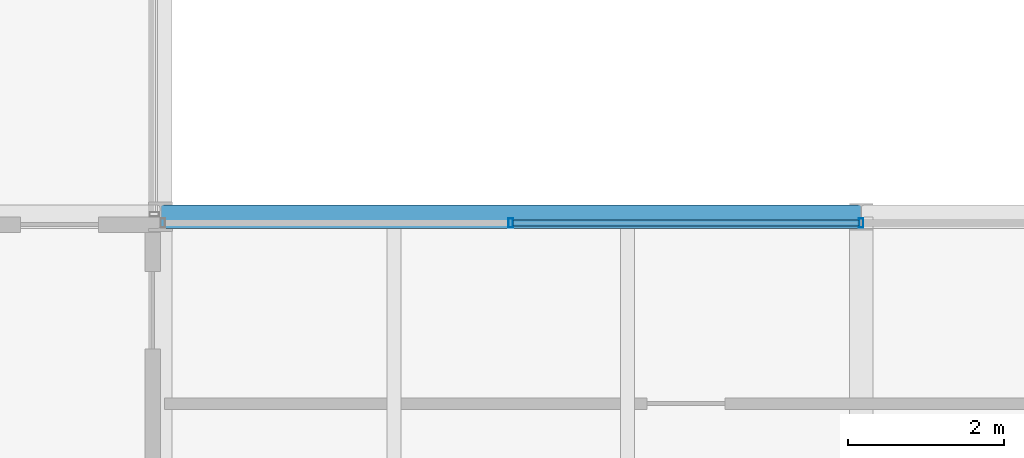
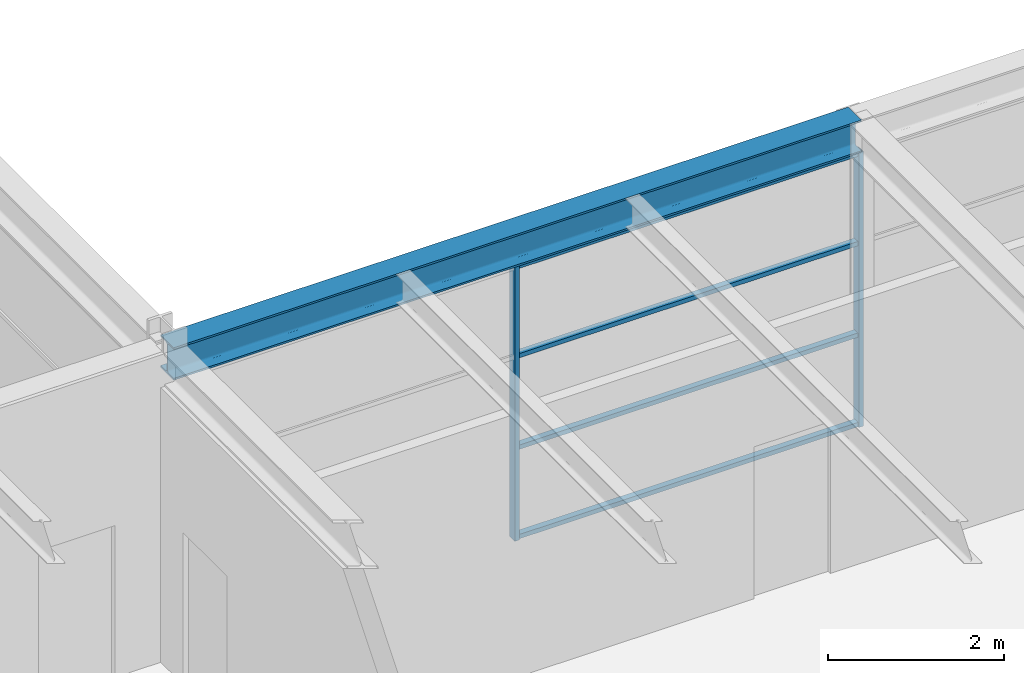
# One storey, part 35 of 153: 6 members, 1 beam, 1 element without a shape of its own.
"""IFC4 building model written with IfcOpenShell, lengths in metres."""

from ifc_helpers import new_model, si_unit, direction, frame, origin, origin_2d, place, context, subcontext, project, spatial, hollow_rectangle, i_section, extrude, material, material_profile, profile_set, type_object, element, aggregate, save


model = new_model("IFC4")

# Units and contexts
model_context = context("Model", 3, precision=1e-05, world=origin(), true_north=direction((0.0, 1.0)))
body_context = subcontext(model_context, "Body", "Model", "MODEL_VIEW")
ifc_project = project(units=[si_unit("LENGTHUNIT", "METRE"), si_unit("AREAUNIT", "SQUARE_METRE"), si_unit("VOLUMEUNIT", "CUBIC_METRE"), si_unit("PLANEANGLEUNIT", "RADIAN"), si_unit("MASSUNIT", "GRAM", prefix="KILO")], contexts=[model_context])

# Site, building, storey
site_placement = place(None, origin())
site = spatial("IfcSite", under=ifc_project, at=site_placement, CompositionType="ELEMENT")
building_placement = place(site_placement, origin())
building = spatial("IfcBuilding", under=site, at=building_placement, Name="Kallimachos Central Library", CompositionType="ELEMENT")
storey_placement = place(building_placement, frame((0.0, 0.0, 5.39990234375)))
storey = spatial("IfcBuildingStorey", under=building, at=storey_placement, Name="L01", CompositionType="ELEMENT", Elevation=5.39990234375)

# Curtain wall, members
ifc_material_1 = material(Name="Aluminium and laminated glass", Category="aluminium")
curtain_wall_type = type_object("IfcCurtainWallType", Name="Atrium glazed screen", PredefinedType="NOTDEFINED", material=ifc_material_1)
curtain_wall_placement = place(storey_placement, origin())
curtain_wall = element("IfcCurtainWall", 1, at=curtain_wall_placement, inside=storey, type_object=curtain_wall_type, Name="L01 atrium screen S", PredefinedType="NOTDEFINED")
ifc_material_2 = material(Name="Anodised aluminium", Category="aluminium")
ifc_material_profile_1 = material_profile(ifc_material_2, hollow_rectangle(XDim=0.06005859375, YDim=0.1201171875, WallThickness=0.00390625, at=origin_2d()), Name="ALU MULLION 60x120")
ifc_profile_set_1 = profile_set([ifc_material_profile_1], Name="Anodised aluminium")
member_type_1 = type_object("IfcMemberType", Name="Atrium screen mullion", PredefinedType="MULLION", material=ifc_profile_set_1)
member_1_placement = place(storey_placement, frame((79.0, 56.919921875, 0.0), z_axis=(0.0, 0.0, 1.0), x_axis=(1.0, 0.0, 0.0)))
member_1 = element("IfcMember", 2, at=member_1_placement, type_object=member_type_1, Name="CW mullion 2", PredefinedType="MULLION", context=body_context, shape_type="SweptSolid", body=[
    extrude(hollow_rectangle(XDim=0.06005859375, YDim=0.1201171875, WallThickness=0.00390625, at=origin_2d()), origin(), (0.0, 0.0, 1.0), 3.800048828125),
])
member_2_placement = place(storey_placement, frame((83.5, 56.919921875, 0.0), z_axis=(0.0, 0.0, 1.0), x_axis=(1.0, 0.0, 0.0)))
member_2 = element("IfcMember", 3, at=member_2_placement, type_object=member_type_1, Name="CW mullion 3", PredefinedType="MULLION", context=body_context, shape_type="SweptSolid", body=[
    extrude(hollow_rectangle(XDim=0.06005859375, YDim=0.1201171875, WallThickness=0.00390625, at=origin_2d()), origin(), (0.0, 0.0, 1.0), 3.800048828125),
])
ifc_material_3 = material(Name="Anodised aluminium", Category="aluminium")
ifc_material_profile_2 = material_profile(ifc_material_3, hollow_rectangle(XDim=0.06005859375, YDim=0.080078125, WallThickness=0.00390625, at=origin_2d()), Name="ALU TRANSOM 60x80")
ifc_profile_set_2 = profile_set([ifc_material_profile_2], Name="Anodised aluminium")
member_type_2 = type_object("IfcMemberType", Name="Atrium screen transom", PredefinedType="USERDEFINED", material=ifc_profile_set_2)
member_3_placement = place(storey_placement, frame((79.030029296875, 56.919921875, 0.030029296875), z_axis=(1.0, 0.0, 0.0), x_axis=(0.0, 0.0, 1.0)))
member_3 = element("IfcMember", 4, at=member_3_placement, type_object=member_type_2, Name="CW transom 2.1", ObjectType="TRANSOM", PredefinedType="USERDEFINED", context=body_context, shape_type="SweptSolid", body=[
    extrude(hollow_rectangle(XDim=0.06005859375, YDim=0.080078125, WallThickness=0.00390625, at=origin_2d()), origin(), (0.0, 0.0, 1.0), 4.43994140625),
])
member_4_placement = place(storey_placement, frame((79.030029296875, 56.919921875, 1.266845703125), z_axis=(1.0, 0.0, 0.0), x_axis=(0.0, 0.0, 1.0)))
member_4 = element("IfcMember", 5, at=member_4_placement, type_object=member_type_2, Name="CW transom 2.2", ObjectType="TRANSOM", PredefinedType="USERDEFINED", context=body_context, shape_type="SweptSolid", body=[
    extrude(hollow_rectangle(XDim=0.06005859375, YDim=0.080078125, WallThickness=0.00390625, at=origin_2d()), origin(), (0.0, 0.0, 1.0), 4.43994140625),
])
member_5_placement = place(storey_placement, frame((79.030029296875, 56.919921875, 2.533447265625), z_axis=(1.0, 0.0, 0.0), x_axis=(0.0, 0.0, 1.0)))
member_5 = element("IfcMember", 6, at=member_5_placement, type_object=member_type_2, Name="CW transom 2.3", ObjectType="TRANSOM", PredefinedType="USERDEFINED", context=body_context, shape_type="SweptSolid", body=[
    extrude(hollow_rectangle(XDim=0.06005859375, YDim=0.080078125, WallThickness=0.00390625, at=origin_2d()), origin(), (0.0, 0.0, 1.0), 4.43994140625),
])
member_6_placement = place(storey_placement, frame((79.030029296875, 56.919921875, 3.77001953125), z_axis=(1.0, 0.0, 0.0), x_axis=(0.0, 0.0, 1.0)))
member_6 = element("IfcMember", 7, at=member_6_placement, type_object=member_type_2, Name="CW transom 2.4", ObjectType="TRANSOM", PredefinedType="USERDEFINED", context=body_context, shape_type="SweptSolid", body=[
    extrude(hollow_rectangle(XDim=0.06005859375, YDim=0.080078125, WallThickness=0.00390625, at=origin_2d()), origin(), (0.0, 0.0, 1.0), 4.43994140625),
])
aggregate(curtain_wall, [member_1, member_2, member_3, member_4, member_5, member_6])

# Beam
ifc_material_4 = material(Name="Steel S355J2", Category="steel")
ifc_material_profile_3 = material_profile(ifc_material_4, i_section(OverallWidth=0.300048828125, OverallDepth=0.449951171875, WebThickness=0.013916015625, FlangeThickness=0.02587890625, FilletRadius=0.027099609375, at=origin_2d()), Name="HEB 450")
ifc_profile_set_3 = profile_set([ifc_material_profile_3], Name="Steel S355J2")
beam_type = type_object("IfcBeamType", Name="HEB 450 beam", PredefinedType="BEAM", material=ifc_profile_set_3)
beam_placement = place(storey_placement, frame((74.5, 57.0, 4.025146484375), z_axis=(1.0, 0.0, 0.0), x_axis=(0.0, 1.0, 0.0)))
element("IfcBeam", 8, at=beam_placement, inside=storey, type_object=beam_type, Name="V4-BEM-L01-046", PredefinedType="BEAM", context=body_context, shape_type="SweptSolid", body=[
    extrude(i_section(OverallWidth=0.300048828125, OverallDepth=0.449951171875, WebThickness=0.013916015625, FlangeThickness=0.02587890625, FilletRadius=0.027099609375, at=origin_2d()), origin(), (0.0, 0.0, 1.0), 9.0),
])

save(model, "model.ifc")
